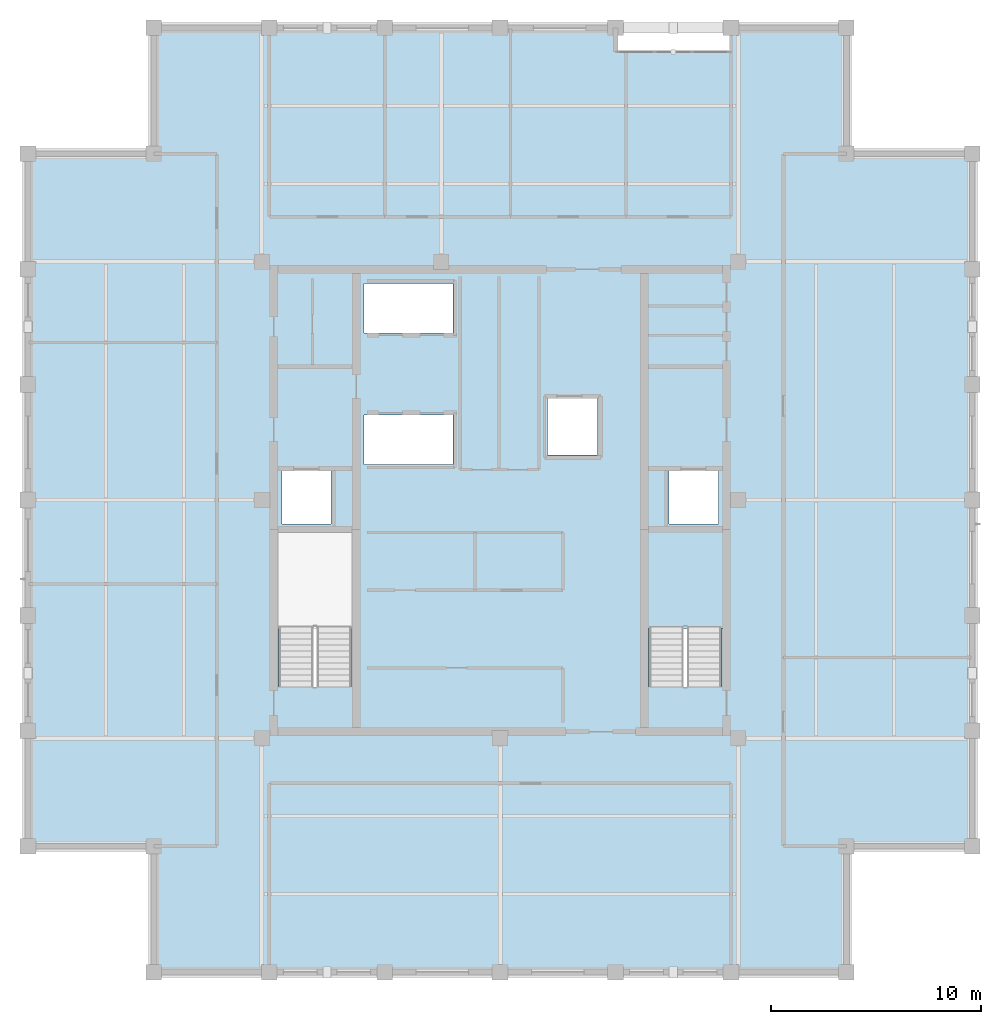
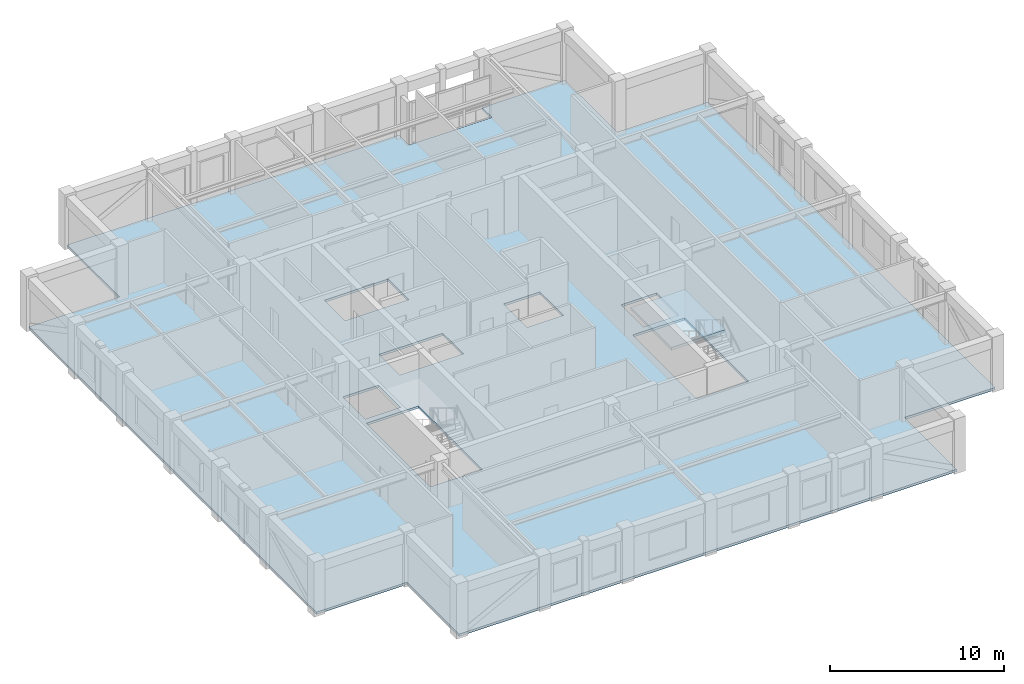
# One storey, part 4 of 10: 2 slabs, 1 element without a shape of its own.
"""IFC4 building model written with IfcOpenShell, lengths in metres."""

from ifc_helpers import new_model, si_unit, direction, frame, origin, place, context, subcontext, project, spatial, polyline, outline, extrude, material, layer, layer_set, type_object, element, aggregate, save


model = new_model("IFC4")

# Units and contexts
model_context = context("Model", 3, precision=1e-05, world=origin(), true_north=direction((0.0, 1.0)))
body_context = subcontext(model_context, "Body", "Model", "MODEL_VIEW")
ifc_project = project(units=[si_unit("LENGTHUNIT", "METRE"), si_unit("AREAUNIT", "SQUARE_METRE"), si_unit("VOLUMEUNIT", "CUBIC_METRE"), si_unit("PLANEANGLEUNIT", "RADIAN"), si_unit("MASSUNIT", "GRAM", prefix="KILO")], contexts=[model_context])

# Site, building, storey
site_placement = place(None, origin())
site = spatial("IfcSite", under=ifc_project, at=site_placement, CompositionType="ELEMENT")
building_placement = place(site_placement, origin())
building = spatial("IfcBuilding", under=site, at=building_placement, Name="Nhamokura Convention Tower", CompositionType="ELEMENT")
storey_placement = place(building_placement, frame((0.0, 0.0, 277.550048828125)))
storey = spatial("IfcBuildingStorey", under=building, at=storey_placement, Name="L68", CompositionType="ELEMENT", Elevation=277.550048828125)

# Slab
ifc_material_1 = material(Name="Concrete C40/50", Category="concrete")
ifc_layer_1 = layer(ifc_material_1, 0.1650390625)
ifc_layer_set_1 = layer_set([ifc_layer_1], Name="OfficeFloorSlab_165")
slab_type_1 = type_object("IfcSlabType", Name="OfficeFloorSlab_165", PredefinedType="FLOOR", material=ifc_layer_set_1)
slab_1_placement = place(storey_placement, frame((0.0, 0.0, -0.1650390625)))
element("IfcSlab", 1, at=slab_1_placement, inside=storey, type_object=slab_type_1, Name="L68 Structural Floor Slab", PredefinedType="FLOOR", context=body_context, shape_type="SweptSolid", body=[
    extrude(outline(polyline([(15.5, 9.5), (48.5, 9.5), (48.5, 15.5), (54.5, 15.5), (54.5, 48.5), (48.5, 48.5), (48.5, 54.5), (43.0, 54.5), (43.0, 53.35009765625), (37.5, 53.35009765625), (37.5, 54.5), (15.5, 54.5), (15.5, 48.5), (9.5, 48.5), (9.5, 15.5), (15.5, 15.5), (15.5, 9.5)]), holes=[polyline([(24.89990234375, 23.10009765625), (24.89990234375, 30.449951171875), (21.449951171875, 30.449951171875), (21.449951171875, 23.10009765625), (24.89990234375, 23.10009765625)]), polyline([(42.550048828125, 23.10009765625), (42.550048828125, 30.449951171875), (39.10009765625, 30.449951171875), (39.10009765625, 23.10009765625), (42.550048828125, 23.10009765625)]), polyline([(21.60009765625, 30.85009765625), (23.949951171875, 30.85009765625), (23.949951171875, 33.39990234375), (21.60009765625, 33.39990234375), (21.60009765625, 30.85009765625)]), polyline([(40.050048828125, 30.85009765625), (42.39990234375, 30.85009765625), (42.39990234375, 33.39990234375), (40.050048828125, 33.39990234375), (40.050048828125, 30.85009765625)]), polyline([(34.25, 34.14990234375), (36.64990234375, 34.14990234375), (36.64990234375, 36.85009765625), (34.25, 36.85009765625), (34.25, 34.14990234375)]), polyline([(25.52001953125, 33.679931640625), (29.75, 33.679931640625), (29.75, 36.050048828125), (25.52001953125, 36.050048828125), (25.52001953125, 33.679931640625)]), polyline([(25.52001953125, 39.949951171875), (29.75, 39.949951171875), (29.75, 42.320068359375), (25.52001953125, 42.320068359375), (25.52001953125, 39.949951171875)])]), origin(), (0.0, 0.0, 1.0), 0.1650390625),
])

# Stair, slab
ifc_material_2 = material(Name="Concrete C40/50", Category="concrete")
stair_type = type_object("IfcStairType", Name="TowerCoreStair_1650", PredefinedType="HALF_TURN_STAIR", material=ifc_material_2)
stair_placement = place(storey_placement, origin())
stair = element("IfcStair", 2, at=stair_placement, inside=storey, type_object=stair_type, Name="L68 East Core Smokeproof Stair ST-02", PredefinedType="HALF_TURN_STAIR")
ifc_material_3 = material(Name="Concrete C40/50", Category="concrete")
ifc_layer_2 = layer(ifc_material_3, 0.199951171875)
ifc_layer_set_2 = layer_set([ifc_layer_2], Name="StairLandingSlab_200")
slab_type_2 = type_object("IfcSlabType", Name="StairLandingSlab_200", PredefinedType="LANDING", material=ifc_layer_set_2)
slab_2_placement = place(storey_placement, frame((0.0, 0.0, 1.724853515625)))
slab_2 = element("IfcSlab", 3, at=slab_2_placement, type_object=slab_type_2, Name="ST-02 landing 1", PredefinedType="LANDING", context=body_context, shape_type="SweptSolid", body=[
    extrude(outline(polyline([(42.6298828125, 25.8701171875), (42.6298828125, 30.530029296875), (39.02001953125, 30.530029296875), (39.02001953125, 25.8701171875), (42.6298828125, 25.8701171875)])), origin(), (0.0, 0.0, 1.0), 0.2001953125),
])
aggregate(stair, [slab_2])

save(model, "model.ifc")
